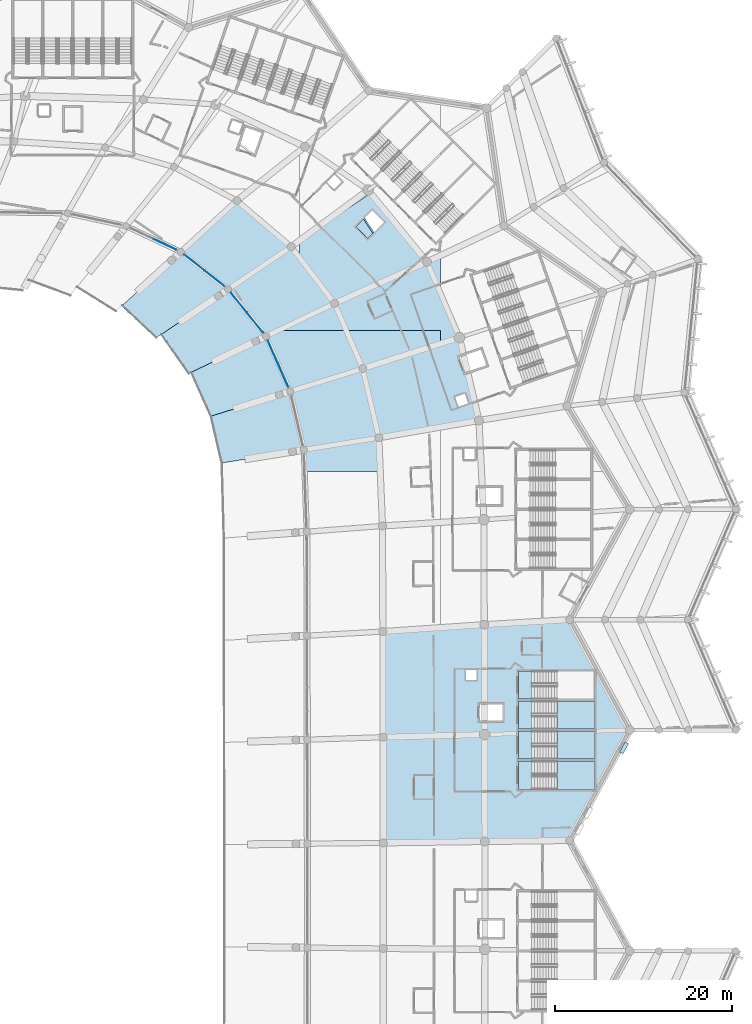
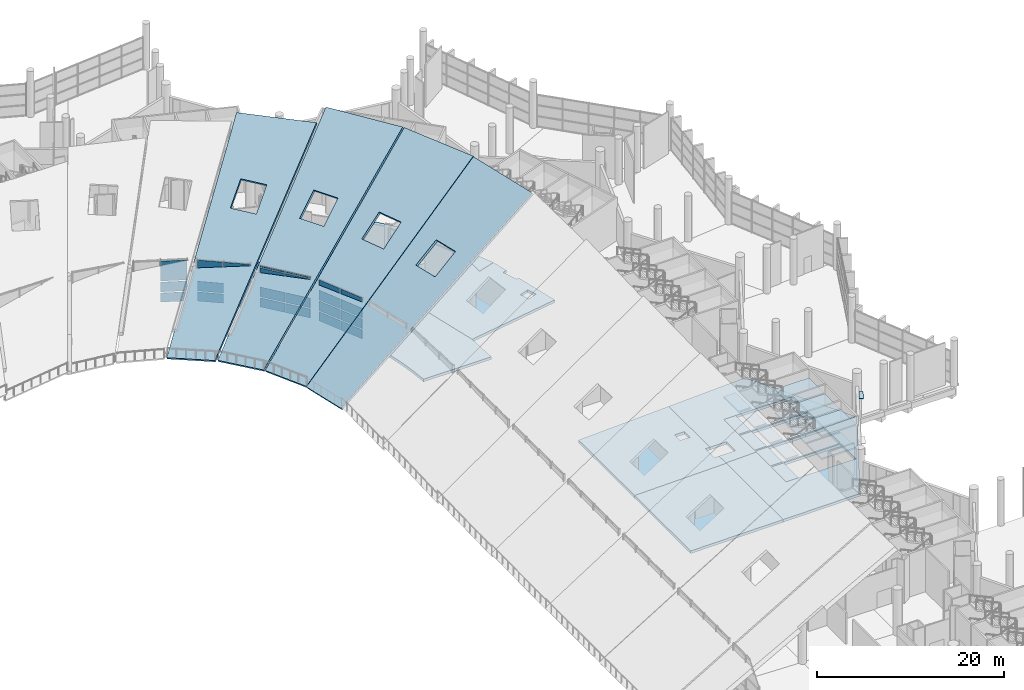
# One storey, part 128 of 249: 26 plates, 26 slabs, 8 elements without a shape of their own.
"""IFC4 building model written with IfcOpenShell, lengths in metres."""

from ifc_helpers import new_model, si_unit, direction, frame, origin, origin_2d, place, context, subcontext, project, spatial, polyline, rectangle, outline, extrude, material, layer, layer_set, type_object, element, aggregate, save


model = new_model("IFC4")

# Units and contexts
model_context = context("Model", 3, precision=1e-05, world=origin(), true_north=direction((0.0, 1.0)))
body_context = subcontext(model_context, "Body", "Model", "MODEL_VIEW")
ifc_project = project(units=[si_unit("LENGTHUNIT", "METRE"), si_unit("AREAUNIT", "SQUARE_METRE"), si_unit("VOLUMEUNIT", "CUBIC_METRE"), si_unit("PLANEANGLEUNIT", "RADIAN"), si_unit("MASSUNIT", "GRAM", prefix="KILO")], contexts=[model_context])

# Site, building, storey
site_placement = place(None, origin())
site = spatial("IfcSite", under=ifc_project, at=site_placement, CompositionType="ELEMENT")
building_placement = place(site_placement, origin())
building = spatial("IfcBuilding", under=site, at=building_placement, Name="Meseta Stadium", CompositionType="ELEMENT")
storey_placement = place(building_placement, frame((0.0, 0.0, 12.0)))
storey = spatial("IfcBuildingStorey", under=building, at=storey_placement, Name="L02", CompositionType="ELEMENT", Elevation=12.0)

# Curtain wall, plates
ifc_material_1 = material(Name="Aluminium", Category="aluminium")
ifc_layer_1 = layer(ifc_material_1, 0.199951171875)
ifc_layer_set_1 = layer_set([ifc_layer_1], Name="Suite glazing curtain wall")
curtain_wall_type = type_object("IfcCurtainWallType", Name="Suite glazing curtain wall", PredefinedType="NOTDEFINED", material=ifc_layer_set_1)
curtain_wall_1_placement = place(storey_placement, origin())
curtain_wall_1 = element("IfcCurtainWall", 1, at=curtain_wall_1_placement, inside=storey, type_object=curtain_wall_type, Name="Suite glazing bay 10", PredefinedType="NOTDEFINED")
ifc_material_2 = material(Name="Glass", Category="glass")
ifc_layer_2 = layer(ifc_material_2, 0.035888671875)
ifc_layer_set_2 = layer_set([ifc_layer_2], Name="CW glass panel 36")
plate_type_1 = type_object("IfcPlateType", Name="CW glass panel 36", PredefinedType="CURTAIN_PANEL", material=ifc_layer_set_2)
plate_1_placement = place(storey_placement, frame((62.1748046875, 58.895751953125, 0.14990234375), z_axis=(0.0, 0.0, 1.0), x_axis=(-0.402983317466, 0.915207323968, 0.0)))
plate_1 = element("IfcPlate", 2, at=plate_1_placement, type_object=plate_type_1, Name="CWS panel 1.1", PredefinedType="CURTAIN_PANEL", context=body_context, shape_type="SweptSolid", body=[
    extrude(rectangle(XDim=2.8310546875, YDim=0.035888671875, at=origin_2d()), origin(), (0.0, 0.0, 1.0), 1.1875),
])
plate_2_placement = place(storey_placement, frame((62.1748046875, 58.895751953125, 1.4873046875), z_axis=(0.0, 0.0, 1.0), x_axis=(-0.402983317466, 0.915207323968, 0.0)))
plate_2 = element("IfcPlate", 3, at=plate_2_placement, type_object=plate_type_1, Name="CWS panel 1.2", PredefinedType="CURTAIN_PANEL", context=body_context, shape_type="SweptSolid", body=[
    extrude(rectangle(XDim=2.8310546875, YDim=0.035888671875, at=origin_2d()), origin(), (0.0, 0.0, 1.0), 1.262451171875),
])
plate_3_placement = place(storey_placement, frame((62.1748046875, 58.895751953125, 2.89990234375), z_axis=(0.0, 0.0, 1.0), x_axis=(-0.402983317466, 0.915207323968, 0.0)))
plate_3 = element("IfcPlate", 4, at=plate_3_placement, type_object=plate_type_1, Name="CWS panel 1.3", PredefinedType="CURTAIN_PANEL", context=body_context, shape_type="SweptSolid", body=[
    extrude(rectangle(XDim=2.8310546875, YDim=0.035888671875, at=origin_2d()), origin(), (0.0, 0.0, 1.0), 1.262451171875),
])
plate_4_placement = place(storey_placement, frame((62.1748046875, 58.895751953125, 4.3125), z_axis=(0.0, 0.0, 1.0), x_axis=(-0.402983317466, 0.915207323968, 0.0)))
plate_4 = element("IfcPlate", 5, at=plate_4_placement, type_object=plate_type_1, Name="CWS panel 1.4", PredefinedType="CURTAIN_PANEL", context=body_context, shape_type="SweptSolid", body=[
    extrude(rectangle(XDim=2.8310546875, YDim=0.035888671875, at=origin_2d()), origin(), (0.0, 0.0, 1.0), 1.1875),
])
plate_5_placement = place(storey_placement, frame((61.009765625, 61.54150390625, 0.14990234375), z_axis=(0.0, 0.0, 1.0), x_axis=(-0.402983317466, 0.915207323968, 0.0)))
plate_5 = element("IfcPlate", 6, at=plate_5_placement, type_object=plate_type_1, Name="CWS panel 2.1", PredefinedType="CURTAIN_PANEL", context=body_context, shape_type="SweptSolid", body=[
    extrude(rectangle(XDim=2.8310546875, YDim=0.035888671875, at=origin_2d()), origin(), (0.0, 0.0, 1.0), 1.1875),
])
plate_6_placement = place(storey_placement, frame((61.009765625, 61.54150390625, 1.4873046875), z_axis=(0.0, 0.0, 1.0), x_axis=(-0.402983317466, 0.915207323968, 0.0)))
plate_6 = element("IfcPlate", 7, at=plate_6_placement, type_object=plate_type_1, Name="CWS panel 2.2", PredefinedType="CURTAIN_PANEL", context=body_context, shape_type="SweptSolid", body=[
    extrude(rectangle(XDim=2.8310546875, YDim=0.035888671875, at=origin_2d()), origin(), (0.0, 0.0, 1.0), 1.262451171875),
])
plate_7_placement = place(storey_placement, frame((61.009765625, 61.54150390625, 2.89990234375), z_axis=(0.0, 0.0, 1.0), x_axis=(-0.402983317466, 0.915207323968, 0.0)))
plate_7 = element("IfcPlate", 8, at=plate_7_placement, type_object=plate_type_1, Name="CWS panel 2.3", PredefinedType="CURTAIN_PANEL", context=body_context, shape_type="SweptSolid", body=[
    extrude(rectangle(XDim=2.8310546875, YDim=0.035888671875, at=origin_2d()), origin(), (0.0, 0.0, 1.0), 1.262451171875),
])
plate_8_placement = place(storey_placement, frame((61.009765625, 61.54150390625, 4.3125), z_axis=(0.0, 0.0, 1.0), x_axis=(-0.402983317466, 0.915207323968, 0.0)))
plate_8 = element("IfcPlate", 9, at=plate_8_placement, type_object=plate_type_1, Name="CWS panel 2.4", PredefinedType="CURTAIN_PANEL", context=body_context, shape_type="SweptSolid", body=[
    extrude(rectangle(XDim=2.8310546875, YDim=0.035888671875, at=origin_2d()), origin(), (0.0, 0.0, 1.0), 1.1875),
])
aggregate(curtain_wall_1, [plate_1, plate_2, plate_3, plate_4, plate_5, plate_6, plate_7, plate_8])

curtain_wall_2_placement = place(storey_placement, origin())
curtain_wall_2 = element("IfcCurtainWall", 10, at=curtain_wall_2_placement, inside=storey, type_object=curtain_wall_type, Name="Suite glazing bay 11", PredefinedType="NOTDEFINED")
plate_9_placement = place(storey_placement, frame((58.986572265625, 64.867919921875, 0.14990234375), z_axis=(0.0, 0.0, 1.0), x_axis=(-0.626460054791, 0.779453526357, 0.0)))
plate_9 = element("IfcPlate", 11, at=plate_9_placement, type_object=plate_type_1, Name="CWS panel 1.1", PredefinedType="CURTAIN_PANEL", context=body_context, shape_type="SweptSolid", body=[
    extrude(rectangle(XDim=2.84130859375, YDim=0.035888671875, at=origin_2d()), origin(), (0.0, 0.0, 1.0), 1.1875),
])
plate_10_placement = place(storey_placement, frame((58.986572265625, 64.867919921875, 1.4873046875), z_axis=(0.0, 0.0, 1.0), x_axis=(-0.626460054791, 0.779453526357, 0.0)))
plate_10 = element("IfcPlate", 12, at=plate_10_placement, type_object=plate_type_1, Name="CWS panel 1.2", PredefinedType="CURTAIN_PANEL", context=body_context, shape_type="SweptSolid", body=[
    extrude(rectangle(XDim=2.84130859375, YDim=0.035888671875, at=origin_2d()), origin(), (0.0, 0.0, 1.0), 1.262451171875),
])
plate_11_placement = place(storey_placement, frame((58.986572265625, 64.867919921875, 2.89990234375), z_axis=(0.0, 0.0, 1.0), x_axis=(-0.626460054791, 0.779453526357, 0.0)))
plate_11 = element("IfcPlate", 13, at=plate_11_placement, type_object=plate_type_1, Name="CWS panel 1.3", PredefinedType="CURTAIN_PANEL", context=body_context, shape_type="SweptSolid", body=[
    extrude(rectangle(XDim=2.84130859375, YDim=0.035888671875, at=origin_2d()), origin(), (0.0, 0.0, 1.0), 2.332275390625),
])
plate_12_placement = place(storey_placement, frame((58.986572265625, 64.867919921875, 5.38232421875), z_axis=(0.0, 0.0, 1.0), x_axis=(-0.626460054791, 0.779453526357, 0.0)))
plate_12 = element("IfcPlate", 14, at=plate_12_placement, type_object=plate_type_1, Name="CWS panel 1.4", PredefinedType="CURTAIN_PANEL", context=body_context, shape_type="SweptSolid", body=[
    extrude(rectangle(XDim=2.84130859375, YDim=0.035888671875, at=origin_2d()), origin(), (0.0, 0.0, 1.0), 0.11767578125),
])
plate_13_placement = place(storey_placement, frame((57.1689453125, 67.12939453125, 0.14990234375), z_axis=(0.0, 0.0, 1.0), x_axis=(-0.626460054791, 0.779453526357, 0.0)))
plate_13 = element("IfcPlate", 15, at=plate_13_placement, type_object=plate_type_1, Name="CWS panel 2.1", PredefinedType="CURTAIN_PANEL", context=body_context, shape_type="SweptSolid", body=[
    extrude(rectangle(XDim=2.84130859375, YDim=0.035888671875, at=origin_2d()), origin(), (0.0, 0.0, 1.0), 1.1875),
])
plate_14_placement = place(storey_placement, frame((57.1689453125, 67.12939453125, 1.4873046875), z_axis=(0.0, 0.0, 1.0), x_axis=(-0.626460054791, 0.779453526357, 0.0)))
plate_14 = element("IfcPlate", 16, at=plate_14_placement, type_object=plate_type_1, Name="CWS panel 2.2", PredefinedType="CURTAIN_PANEL", context=body_context, shape_type="SweptSolid", body=[
    extrude(rectangle(XDim=2.84130859375, YDim=0.035888671875, at=origin_2d()), origin(), (0.0, 0.0, 1.0), 1.262451171875),
])
plate_15_placement = place(storey_placement, frame((57.1689453125, 67.12939453125, 2.89990234375), z_axis=(0.0, 0.0, 1.0), x_axis=(-0.626460054791, 0.779453526357, 0.0)))
plate_15 = element("IfcPlate", 17, at=plate_15_placement, type_object=plate_type_1, Name="CWS panel 2.3", PredefinedType="CURTAIN_PANEL", context=body_context, shape_type="SweptSolid", body=[
    extrude(rectangle(XDim=2.84130859375, YDim=0.035888671875, at=origin_2d()), origin(), (0.0, 0.0, 1.0), 2.332275390625),
])
plate_16_placement = place(storey_placement, frame((57.1689453125, 67.12939453125, 5.38232421875), z_axis=(0.0, 0.0, 1.0), x_axis=(-0.626460054791, 0.779453526357, 0.0)))
plate_16 = element("IfcPlate", 18, at=plate_16_placement, type_object=plate_type_1, Name="CWS panel 2.4", PredefinedType="CURTAIN_PANEL", context=body_context, shape_type="SweptSolid", body=[
    extrude(rectangle(XDim=2.84130859375, YDim=0.035888671875, at=origin_2d()), origin(), (0.0, 0.0, 1.0), 0.11767578125),
])
aggregate(curtain_wall_2, [plate_9, plate_10, plate_11, plate_12, plate_13, plate_14, plate_15, plate_16])

curtain_wall_3_placement = place(storey_placement, origin())
curtain_wall_3 = element("IfcCurtainWall", 19, at=curtain_wall_3_placement, inside=storey, type_object=curtain_wall_type, Name="Suite glazing bay 12", PredefinedType="NOTDEFINED")
plate_17_placement = place(storey_placement, frame((54.385498046875, 69.88330078125, 0.14990234375), z_axis=(0.0, 0.0, 1.0), x_axis=(-0.785434917158, 0.61894425509, 0.0)))
plate_17 = element("IfcPlate", 20, at=plate_17_placement, type_object=plate_type_1, Name="CWS panel 1.1", PredefinedType="CURTAIN_PANEL", context=body_context, shape_type="SweptSolid", body=[
    extrude(rectangle(XDim=2.83349609375, YDim=0.035888671875, at=origin_2d()), origin(), (0.0, 0.0, 1.0), 1.1875),
])
plate_18_placement = place(storey_placement, frame((54.385498046875, 69.88330078125, 1.4873046875), z_axis=(0.0, 0.0, 1.0), x_axis=(-0.785434917158, 0.61894425509, 0.0)))
plate_18 = element("IfcPlate", 21, at=plate_18_placement, type_object=plate_type_1, Name="CWS panel 1.2", PredefinedType="CURTAIN_PANEL", context=body_context, shape_type="SweptSolid", body=[
    extrude(rectangle(XDim=2.83349609375, YDim=0.035888671875, at=origin_2d()), origin(), (0.0, 0.0, 1.0), 1.262451171875),
])
plate_19_placement = place(storey_placement, frame((54.385498046875, 69.88330078125, 2.89990234375), z_axis=(0.0, 0.0, 1.0), x_axis=(-0.785434917158, 0.61894425509, 0.0)))
plate_19 = element("IfcPlate", 22, at=plate_19_placement, type_object=plate_type_1, Name="CWS panel 1.3", PredefinedType="CURTAIN_PANEL", context=body_context, shape_type="SweptSolid", body=[
    extrude(rectangle(XDim=2.83349609375, YDim=0.035888671875, at=origin_2d()), origin(), (0.0, 0.0, 1.0), 2.60009765625),
])
plate_20_placement = place(storey_placement, frame((52.11279296875, 71.67431640625, 0.14990234375), z_axis=(0.0, 0.0, 1.0), x_axis=(-0.785434917158, 0.61894425509, 0.0)))
plate_20 = element("IfcPlate", 23, at=plate_20_placement, type_object=plate_type_1, Name="CWS panel 2.1", PredefinedType="CURTAIN_PANEL", context=body_context, shape_type="SweptSolid", body=[
    extrude(rectangle(XDim=2.83349609375, YDim=0.035888671875, at=origin_2d()), origin(), (0.0, 0.0, 1.0), 1.1875),
])
plate_21_placement = place(storey_placement, frame((52.11279296875, 71.67431640625, 1.4873046875), z_axis=(0.0, 0.0, 1.0), x_axis=(-0.785434917158, 0.61894425509, 0.0)))
plate_21 = element("IfcPlate", 24, at=plate_21_placement, type_object=plate_type_1, Name="CWS panel 2.2", PredefinedType="CURTAIN_PANEL", context=body_context, shape_type="SweptSolid", body=[
    extrude(rectangle(XDim=2.83349609375, YDim=0.035888671875, at=origin_2d()), origin(), (0.0, 0.0, 1.0), 1.262451171875),
])
plate_22_placement = place(storey_placement, frame((52.11279296875, 71.67431640625, 2.89990234375), z_axis=(0.0, 0.0, 1.0), x_axis=(-0.785434917158, 0.61894425509, 0.0)))
plate_22 = element("IfcPlate", 25, at=plate_22_placement, type_object=plate_type_1, Name="CWS panel 2.3", PredefinedType="CURTAIN_PANEL", context=body_context, shape_type="SweptSolid", body=[
    extrude(rectangle(XDim=2.83349609375, YDim=0.035888671875, at=origin_2d()), origin(), (0.0, 0.0, 1.0), 2.60009765625),
])
aggregate(curtain_wall_3, [plate_17, plate_18, plate_19, plate_20, plate_21, plate_22])

curtain_wall_4_placement = place(storey_placement, origin())
curtain_wall_4 = element("IfcCurtainWall", 26, at=curtain_wall_4_placement, inside=storey, type_object=curtain_wall_type, Name="Suite glazing bay 13", PredefinedType="NOTDEFINED")
plate_23_placement = place(storey_placement, frame((48.77294921875, 73.737548828125, 0.14990234375), z_axis=(0.0, 0.0, 1.0), x_axis=(-0.904328409074, 0.426837356076, 0.0)))
plate_23 = element("IfcPlate", 27, at=plate_23_placement, type_object=plate_type_1, Name="CWS panel 1.1", PredefinedType="CURTAIN_PANEL", context=body_context, shape_type="SweptSolid", body=[
    extrude(rectangle(XDim=2.822509765625, YDim=0.035888671875, at=origin_2d()), origin(), (0.0, 0.0, 1.0), 1.1875),
])
plate_24_placement = place(storey_placement, frame((48.77294921875, 73.737548828125, 1.4873046875), z_axis=(0.0, 0.0, 1.0), x_axis=(-0.904328409074, 0.426837356076, 0.0)))
plate_24 = element("IfcPlate", 28, at=plate_24_placement, type_object=plate_type_1, Name="CWS panel 1.2", PredefinedType="CURTAIN_PANEL", context=body_context, shape_type="SweptSolid", body=[
    extrude(rectangle(XDim=2.822509765625, YDim=0.035888671875, at=origin_2d()), origin(), (0.0, 0.0, 1.0), 1.262451171875),
])
plate_25_placement = place(storey_placement, frame((48.77294921875, 73.737548828125, 2.89990234375), z_axis=(0.0, 0.0, 1.0), x_axis=(-0.904328409074, 0.426837356076, 0.0)))
plate_25 = element("IfcPlate", 29, at=plate_25_placement, type_object=plate_type_1, Name="CWS panel 1.3", PredefinedType="CURTAIN_PANEL", context=body_context, shape_type="SweptSolid", body=[
    extrude(rectangle(XDim=2.822509765625, YDim=0.035888671875, at=origin_2d()), origin(), (0.0, 0.0, 1.0), 2.60009765625),
])
aggregate(curtain_wall_4, [plate_23, plate_24, plate_25])

# Slabs
ifc_material_3 = material(Name="Concrete C40/50", Category="concrete")
ifc_layer_3 = layer(ifc_material_3, 0.35009765625)
ifc_layer_set_3 = layer_set([ifc_layer_3], Name="Floor slab 350")
slab_type_1 = type_object("IfcSlabType", Name="Floor slab 350", PredefinedType="FLOOR", material=ifc_layer_set_3)
slab_1_placement = place(storey_placement, frame((0.0, 0.0, -0.35009765625)))
element("IfcSlab", 30, at=slab_1_placement, inside=storey, type_object=slab_type_1, Name="Floor slab L02 sector 00 panel 09", PredefinedType="FLOOR", context=body_context, shape_type="SweptSolid", body=[
    extrude(outline(polyline([(84.39990234375, 19.800048828125), (84.39990234375, 21.699951171875), (84.9638671875, 21.699951171875), (84.926025390625, 30.523193359375), (73.451416015625, 29.89404296875), (73.482421875, 17.943603515625), (84.978515625, 18.24365234375), (84.971923828125, 19.800048828125), (84.39990234375, 19.800048828125)]), holes=[polyline([(84.050048828125, 25.60009765625), (84.050048828125, 24.39990234375), (82.85009765625, 24.39990234375), (82.85009765625, 25.60009765625), (84.050048828125, 25.60009765625)])]), origin(), (0.0, 0.0, 1.0), 0.35009765625),
])
slab_2_placement = place(storey_placement, frame((0.0, 0.0, -0.35009765625)))
element("IfcSlab", 31, at=slab_2_placement, inside=storey, type_object=slab_type_1, Name="Floor slab L02 sector 00 panel 13", PredefinedType="FLOOR", context=body_context, shape_type="SweptSolid", body=[
    extrude(outline(polyline([(84.9970703125, 6.107421875), (84.978515625, 18.24365234375), (73.482421875, 17.943603515625), (73.498046875, 5.981201171875), (84.9970703125, 6.107421875)])), origin(), (0.0, 0.0, 1.0), 0.35009765625),
])
slab_3_placement = place(storey_placement, frame((0.0, 0.0, -0.35009765625)))
element("IfcSlab", 32, at=slab_3_placement, inside=storey, type_object=slab_type_1, Name="Floor slab L02 sector 00 panel 17", PredefinedType="FLOOR", context=body_context, shape_type="SweptSolid", body=[
    extrude(outline(polyline([(84.9970703125, 6.107421875), (94.6201171875, 6.212890625), (94.60009765625, 6.25), (101.39990234375, 18.75), (101.340087890625, 18.85986328125), (94.9599609375, 18.64990234375), (97.39990234375, 18.64990234375), (97.39990234375, 15.449951171875), (88.800048828125, 15.449951171875), (88.800048828125, 18.447509765625), (84.978515625, 18.32177734375), (84.9970703125, 6.107421875)]), holes=[polyline([(97.39990234375, 12.050048828125), (88.800048828125, 12.050048828125), (88.800048828125, 15.25), (97.39990234375, 15.25), (97.39990234375, 12.050048828125)])]), origin(), (0.0, 0.0, 1.0), 0.35009765625),
])
slab_4_placement = place(storey_placement, frame((0.0, 0.0, -0.35009765625)))
element("IfcSlab", 33, at=slab_4_placement, inside=storey, type_object=slab_type_1, Name="Floor slab L02 sector 00 panel 19", PredefinedType="FLOOR", context=body_context, shape_type="SweptSolid", body=[
    extrude(outline(polyline([(101.340087890625, 18.85986328125), (94.70361328125, 31.059326171875), (84.926025390625, 30.523193359375), (84.9638671875, 21.699951171875), (87.0, 21.699951171875), (87.0, 19.800048828125), (84.971923828125, 19.800048828125), (84.978271484375, 18.32177734375), (88.800048828125, 18.447509765625), (88.800048828125, 18.64990234375), (94.9599609375, 18.64990234375), (101.340087890625, 18.85986328125)]), holes=[polyline([(97.39990234375, 18.85009765625), (88.800048828125, 18.85009765625), (88.800048828125, 22.050048828125), (97.39990234375, 22.050048828125), (97.39990234375, 18.85009765625)]), polyline([(97.39990234375, 22.25), (88.800048828125, 22.25), (88.800048828125, 25.449951171875), (97.39990234375, 25.449951171875), (97.39990234375, 22.25)])]), origin(), (0.0, 0.0, 1.0), 0.35009765625),
])
slab_5_placement = place(storey_placement, frame((0.0, 0.0, -0.35009765625)))
element("IfcSlab", 34, at=slab_5_placement, inside=storey, type_object=slab_type_1, Name="Floor slab L02 sector 07 panel 03", PredefinedType="FLOOR", context=body_context, shape_type="SweptSolid", body=[
    extrude(outline(polyline([(60.22216796875, 63.33056640625), (61.6142578125, 64.0), (69.297119140625, 64.0), (67.972412109375, 67.057861328125), (63.068115234375, 73.469970703125), (56.9150390625, 78.69580078125), (50.571533203125, 72.888916015625), (51.53076171875, 72.269775390625), (52.466064453125, 71.614990234375), (53.375732421875, 70.925537109375), (54.259033203125, 70.2021484375), (55.1142578125, 69.446044921875), (55.940185546875, 68.658203125), (56.736083984375, 67.839599609375), (57.50048828125, 66.99169921875), (58.232177734375, 66.115478515625), (58.930419921875, 65.21240234375), (59.593994140625, 64.28369140625), (60.22216796875, 63.33056640625)])), origin(), (0.0, 0.0, 1.0), 0.35009765625),
])
slab_6_placement = place(storey_placement, frame((0.0, 0.0, -0.35009765625)))
element("IfcSlab", 35, at=slab_6_placement, inside=storey, type_object=slab_type_1, Name="Floor slab L02 sector 07 panel 05", PredefinedType="FLOOR", context=body_context, shape_type="SweptSolid", body=[
    extrude(outline(polyline([(72.9921875, 51.84716796875), (71.169677734375, 59.67724609375), (69.297119140625, 64.0), (61.6142578125, 64.0), (60.22216796875, 63.33056640625), (60.772705078125, 62.335693359375), (61.274658203125, 61.31689453125), (61.7451171875, 60.28369140625), (62.183837890625, 59.236328125), (62.590087890625, 58.17626953125), (62.963623046875, 57.1044921875), (63.30419921875, 56.021484375), (63.611328125, 54.928955078125), (63.885009765625, 53.827392578125), (64.12451171875, 52.718017578125), (64.330322265625, 51.601806640625), (64.501708984375, 50.479736328125), (64.638427734375, 49.352783203125), (64.740966796875, 48.221923828125), (64.754150390625, 48.0), (73.151123046875, 48.0), (72.9921875, 51.84716796875)])), origin(), (0.0, 0.0, 1.0), 0.35009765625),
])
slab_7_placement = place(storey_placement, frame((0.0, 0.0, -0.35009765625)))
element("IfcSlab", 36, at=slab_7_placement, inside=storey, type_object=slab_type_1, Name="Floor slab L02 sector 07 panel 08", PredefinedType="FLOOR", context=body_context, shape_type="SweptSolid", body=[
    extrude(outline(polyline([(69.297119140625, 64.0), (80.0, 64.0), (80.0, 62.44580078125), (82.137451171875, 63.115966796875), (82.119873046875, 63.191162109375), (80.0, 68.13232421875), (80.0, 72.48828125), (78.4453125, 71.756103515625), (72.06103515625, 79.54052734375), (64.0, 74.098876953125), (64.0, 72.251708984375), (67.972412109375, 67.057861328125), (69.297119140625, 64.0)]), holes=[polyline([(71.74609375, 74.402587890625), (70.402587890625, 75.74609375), (72.2412109375, 77.584716796875), (73.584716796875, 76.2412109375), (71.74609375, 74.402587890625)])]), origin(), (0.0, 0.0, 1.0), 0.35009765625),
])
slab_8_placement = place(storey_placement, frame((0.0, 0.0, -0.35009765625)))
element("IfcSlab", 37, at=slab_8_placement, inside=storey, type_object=slab_type_1, Name="Floor slab L02 sector 07 panel 10", PredefinedType="FLOOR", context=body_context, shape_type="SweptSolid", body=[
    extrude(outline(polyline([(82.137451171875, 63.115966796875), (80.0, 62.44580078125), (80.0, 64.0), (69.297119140625, 64.0), (71.169677734375, 59.67724609375), (72.9921875, 51.84716796875), (84.3251953125, 53.801513671875), (83.032958984375, 59.30322265625), (82.723876953125, 59.195068359375), (82.09619140625, 60.988525390625), (82.59619140625, 61.163330078125), (82.137451171875, 63.115966796875)]), holes=[polyline([(82.006103515625, 55.341796875), (81.60986328125, 56.474609375), (82.74267578125, 56.870849609375), (83.138916015625, 55.73828125), (82.006103515625, 55.341796875)])]), origin(), (0.0, 0.0, 1.0), 0.35009765625),
])

# Plate
ifc_material_4 = material(Name="White precast concrete C40/50", Category="concrete")
ifc_layer_4 = layer(ifc_material_4, 0.080078125)
ifc_layer_set_4 = layer_set([ifc_layer_4], Name="Louvre hood 1300x450")
plate_type_2 = type_object("IfcPlateType", Name="Louvre hood 1300x450", PredefinedType="USERDEFINED", material=ifc_layer_set_4)
plate_26_placement = place(storey_placement, frame((100.757568359375, 16.731689453125, 4.25), z_axis=(0.0, 0.0, 1.0), x_axis=(0.477867090202, 0.878432151109, 0.0)))
element("IfcPlate", 38, at=plate_26_placement, inside=storey, type_object=plate_type_2, Name="Louvre hood L02 F05", ObjectType="LOUVRE", PredefinedType="USERDEFINED", context=body_context, shape_type="SweptSolid", body=[
    extrude(rectangle(XDim=1.300048828125, YDim=0.449951171875, at=origin_2d()), origin(), (0.0, 0.0, 1.0), 0.080078125),
])

# Slabs
ifc_material_5 = material(Name="Concrete C40/50", Category="concrete")
ifc_layer_5 = layer(ifc_material_5, 0.35009765625)
ifc_layer_set_5 = layer_set([ifc_layer_5], Name="Seating tier 350")
slab_type_2 = type_object("IfcSlabType", Name="Seating tier 350", PredefinedType="USERDEFINED", material=ifc_layer_set_5)
slab_9_placement = place(storey_placement, frame((55.12255859375, 48.96923828125, -1.0078125), z_axis=(-0.515821110496, -0.121769579744, 0.847998084559), x_axis=(0.837820966186, 0.134936000468, 0.529006903922)))
element("IfcSlab", 39, at=slab_9_placement, inside=storey, type_object=slab_type_2, Name="Stand upper tier bay 10", ObjectType="SEATING TIER", PredefinedType="USERDEFINED", context=body_context, shape_type="SweptSolid", body=[
    extrude(outline(polyline([(0.0, 0.0), (31.10924748039256, 4.440892098500626e-16), (30.5743301511458, 9.219142906401414), (-0.30291200476163493, 5.424194082260034), (0.0, 0.0)]), holes=[polyline([(17.550048828125, 2.293212890625), (21.0810546875, 2.50927734375), (20.89794921875, 5.503662109375), (17.366455078125, 5.287353515625), (17.550048828125, 2.293212890625)])]), origin(), (0.0, 0.0, -1.0), 0.35009765625),
])
slab_10_placement = place(storey_placement, frame((53.898681640625, 54.26220703125, -0.923095703125), z_axis=(-0.493034340941, -0.194461392393, 0.847998765047), x_axis=(0.809745858171, 0.253882442357, 0.529013563756)))
element("IfcSlab", 40, at=slab_10_placement, inside=storey, type_object=slab_type_2, Name="Stand upper tier bay 11", ObjectType="SEATING TIER", PredefinedType="USERDEFINED", context=body_context, shape_type="SweptSolid", body=[
    extrude(outline(polyline([(0.0, 0.0), (31.109705166816173, 1.9984014443252818e-15), (30.255451052152452, 9.203350171180293), (-0.620510942257601, 5.400378976332084), (0.0, 0.0)]), holes=[polyline([(17.390625, 2.283447265625), (20.921875, 2.498779296875), (20.7392578125, 5.493408203125), (17.2080078125, 5.27783203125), (17.390625, 2.283447265625)])]), origin(), (0.0, 0.0, -1.0), 0.35009765625),
])
slab_11_placement = place(storey_placement, frame((51.4111328125, 59.093017578125, -0.839599609375), z_axis=(-0.459888351399, -0.263447583447, 0.847996506492), x_axis=(0.764764867864, 0.367801391748, 0.52901496492)))
element("IfcSlab", 41, at=slab_11_placement, inside=storey, type_object=slab_type_2, Name="Stand upper tier bay 12", ObjectType="SEATING TIER", PredefinedType="USERDEFINED", context=body_context, shape_type="SweptSolid", body=[
    extrude(outline(polyline([(0.0, 0.0), (31.10961498673099, 4.440892098500626e-16), (29.939759782341948, 9.154343169028085), (-0.9318573982103479, 5.323518700752245), (0.0, 0.0)]), holes=[polyline([(17.468505859375, 2.267333984375), (20.999755859375, 2.483154296875), (20.81689453125, 5.4775390625), (17.28564453125, 5.261962890625), (17.468505859375, 2.267333984375)])]), origin(), (0.0, 0.0, -1.0), 0.35009765625),
])
slab_12_placement = place(storey_placement, frame((47.720947265625, 63.109619140625, -0.758544921875), z_axis=(-0.416651214715, -0.327561343336, 0.848000785158), x_axis=(0.703364046882, 0.474810279846, 0.528993587586)))
element("IfcSlab", 42, at=slab_12_placement, inside=storey, type_object=slab_type_2, Name="Stand upper tier bay 13", ObjectType="SEATING TIER", PredefinedType="USERDEFINED", context=body_context, shape_type="SweptSolid", body=[
    extrude(outline(polyline([(0.0, 0.0), (29.223773050212593, -8.881784197001252e-16), (27.76208005655127, 8.82634556614459), (-1.2318050596223218, 5.179455447740823), (0.0, 0.0)]), holes=[polyline([(17.317138671875, 2.2099609375), (20.84814453125, 2.427490234375), (20.663818359375, 5.421875), (17.1328125, 5.204345703125), (17.317138671875, 2.2099609375)])]), origin(), (0.0, 0.0, -1.0), 0.35009765625),
])

# Stair, slabs
ifc_material_6 = material(Name="Concrete C40/50", Category="concrete")
stair_type = type_object("IfcStairType", Name="Exit stair 4 flights 150 mm risers", PredefinedType="HALF_TURN_STAIR", material=ifc_material_6)
stair_1_placement = place(storey_placement, origin())
stair_1 = element("IfcStair", 43, at=stair_1_placement, inside=storey, type_object=stair_type, Name="ST13 L02", PredefinedType="HALF_TURN_STAIR")
ifc_material_7 = material(Name="Concrete C40/50", Category="concrete")
ifc_layer_6 = layer(ifc_material_7, 0.199951171875)
ifc_layer_set_6 = layer_set([ifc_layer_6], Name="Stair landing 200")
slab_type_3 = type_object("IfcSlabType", Name="Stair landing 200", PredefinedType="LANDING", material=ifc_layer_set_6)
slab_13_placement = place(storey_placement, frame((0.0, 0.0, 1.300048828125)))
slab_13 = element("IfcSlab", 44, at=slab_13_placement, type_object=slab_type_3, Name="ST13 L02 landing 1", PredefinedType="LANDING", context=body_context, shape_type="SweptSolid", body=[
    extrude(outline(polyline([(93.169921875, 12.050048828125), (97.39990234375, 12.050048828125), (97.39990234375, 15.25), (93.169921875, 15.25), (93.169921875, 12.050048828125)])), origin(), (0.0, 0.0, 1.0), 0.199951171875),
])
slab_14_placement = place(storey_placement, frame((0.0, 0.0, 2.800048828125)))
slab_14 = element("IfcSlab", 45, at=slab_14_placement, type_object=slab_type_3, Name="ST13 L02 landing 2", PredefinedType="LANDING", context=body_context, shape_type="SweptSolid", body=[
    extrude(outline(polyline([(88.800048828125, 12.050048828125), (90.31005859375, 12.050048828125), (90.31005859375, 15.25), (88.800048828125, 15.25), (88.800048828125, 12.050048828125)])), origin(), (0.0, 0.0, 1.0), 0.199951171875),
])
slab_15_placement = place(storey_placement, frame((0.0, 0.0, 4.300048828125)))
slab_15 = element("IfcSlab", 46, at=slab_15_placement, type_object=slab_type_3, Name="ST13 L02 landing 3", PredefinedType="LANDING", context=body_context, shape_type="SweptSolid", body=[
    extrude(outline(polyline([(93.169921875, 12.050048828125), (97.39990234375, 12.050048828125), (97.39990234375, 15.25), (93.169921875, 15.25), (93.169921875, 12.050048828125)])), origin(), (0.0, 0.0, 1.0), 0.199951171875),
])
slab_16_placement = place(storey_placement, frame((0.0, 0.0, -0.199951171875)))
slab_16 = element("IfcSlab", 47, at=slab_16_placement, type_object=slab_type_3, Name="ST13 L02 landing 4", PredefinedType="LANDING", context=body_context, shape_type="SweptSolid", body=[
    extrude(outline(polyline([(88.800048828125, 12.050048828125), (90.31005859375, 12.050048828125), (90.31005859375, 15.25), (88.800048828125, 15.25), (88.800048828125, 12.050048828125)])), origin(), (0.0, 0.0, 1.0), 0.199951171875),
])
aggregate(stair_1, [slab_13, slab_14, slab_15, slab_16])

stair_2_placement = place(storey_placement, origin())
stair_2 = element("IfcStair", 48, at=stair_2_placement, inside=storey, type_object=stair_type, Name="ST14 L02", PredefinedType="HALF_TURN_STAIR")
slab_17_placement = place(storey_placement, frame((0.0, 0.0, 1.300048828125)))
slab_17 = element("IfcSlab", 49, at=slab_17_placement, type_object=slab_type_3, Name="ST14 L02 landing 1", PredefinedType="LANDING", context=body_context, shape_type="SweptSolid", body=[
    extrude(outline(polyline([(93.169921875, 15.449951171875), (97.39990234375, 15.449951171875), (97.39990234375, 18.64990234375), (93.169921875, 18.64990234375), (93.169921875, 15.449951171875)])), origin(), (0.0, 0.0, 1.0), 0.199951171875),
])
slab_18_placement = place(storey_placement, frame((0.0, 0.0, 2.800048828125)))
slab_18 = element("IfcSlab", 50, at=slab_18_placement, type_object=slab_type_3, Name="ST14 L02 landing 2", PredefinedType="LANDING", context=body_context, shape_type="SweptSolid", body=[
    extrude(outline(polyline([(88.800048828125, 15.449951171875), (90.31005859375, 15.449951171875), (90.31005859375, 18.64990234375), (88.800048828125, 18.64990234375), (88.800048828125, 15.449951171875)])), origin(), (0.0, 0.0, 1.0), 0.199951171875),
])
slab_19_placement = place(storey_placement, frame((0.0, 0.0, 4.300048828125)))
slab_19 = element("IfcSlab", 51, at=slab_19_placement, type_object=slab_type_3, Name="ST14 L02 landing 3", PredefinedType="LANDING", context=body_context, shape_type="SweptSolid", body=[
    extrude(outline(polyline([(93.169921875, 15.449951171875), (97.39990234375, 15.449951171875), (97.39990234375, 18.64990234375), (93.169921875, 18.64990234375), (93.169921875, 15.449951171875)])), origin(), (0.0, 0.0, 1.0), 0.199951171875),
])
slab_20_placement = place(storey_placement, frame((0.0, 0.0, -0.199951171875)))
slab_20 = element("IfcSlab", 52, at=slab_20_placement, type_object=slab_type_3, Name="ST14 L02 landing 4", PredefinedType="LANDING", context=body_context, shape_type="SweptSolid", body=[
    extrude(outline(polyline([(88.800048828125, 15.449951171875), (90.31005859375, 15.449951171875), (90.31005859375, 18.64990234375), (88.800048828125, 18.64990234375), (88.800048828125, 15.449951171875)])), origin(), (0.0, 0.0, 1.0), 0.199951171875),
])
aggregate(stair_2, [slab_17, slab_18, slab_19, slab_20])

stair_3_placement = place(storey_placement, origin())
stair_3 = element("IfcStair", 53, at=stair_3_placement, inside=storey, type_object=stair_type, Name="ST15 L02", PredefinedType="HALF_TURN_STAIR")
slab_21_placement = place(storey_placement, frame((0.0, 0.0, 1.300048828125)))
slab_21 = element("IfcSlab", 54, at=slab_21_placement, type_object=slab_type_3, Name="ST15 L02 landing 1", PredefinedType="LANDING", context=body_context, shape_type="SweptSolid", body=[
    extrude(outline(polyline([(93.169921875, 18.85009765625), (97.39990234375, 18.85009765625), (97.39990234375, 22.050048828125), (93.169921875, 22.050048828125), (93.169921875, 18.85009765625)])), origin(), (0.0, 0.0, 1.0), 0.199951171875),
])
slab_22_placement = place(storey_placement, frame((0.0, 0.0, 2.800048828125)))
slab_22 = element("IfcSlab", 55, at=slab_22_placement, type_object=slab_type_3, Name="ST15 L02 landing 2", PredefinedType="LANDING", context=body_context, shape_type="SweptSolid", body=[
    extrude(outline(polyline([(88.800048828125, 18.85009765625), (90.31005859375, 18.85009765625), (90.31005859375, 22.050048828125), (88.800048828125, 22.050048828125), (88.800048828125, 18.85009765625)])), origin(), (0.0, 0.0, 1.0), 0.199951171875),
])
slab_23_placement = place(storey_placement, frame((0.0, 0.0, 4.300048828125)))
slab_23 = element("IfcSlab", 56, at=slab_23_placement, type_object=slab_type_3, Name="ST15 L02 landing 3", PredefinedType="LANDING", context=body_context, shape_type="SweptSolid", body=[
    extrude(outline(polyline([(93.169921875, 18.85009765625), (97.39990234375, 18.85009765625), (97.39990234375, 22.050048828125), (93.169921875, 22.050048828125), (93.169921875, 18.85009765625)])), origin(), (0.0, 0.0, 1.0), 0.199951171875),
])
slab_24_placement = place(storey_placement, frame((0.0, 0.0, -0.199951171875)))
slab_24 = element("IfcSlab", 57, at=slab_24_placement, type_object=slab_type_3, Name="ST15 L02 landing 4", PredefinedType="LANDING", context=body_context, shape_type="SweptSolid", body=[
    extrude(outline(polyline([(88.800048828125, 18.85009765625), (90.31005859375, 18.85009765625), (90.31005859375, 22.050048828125), (88.800048828125, 22.050048828125), (88.800048828125, 18.85009765625)])), origin(), (0.0, 0.0, 1.0), 0.199951171875),
])
aggregate(stair_3, [slab_21, slab_22, slab_23, slab_24])

stair_4_placement = place(storey_placement, origin())
stair_4 = element("IfcStair", 58, at=stair_4_placement, inside=storey, type_object=stair_type, Name="ST16 L02", PredefinedType="HALF_TURN_STAIR")
slab_25_placement = place(storey_placement, frame((0.0, 0.0, 2.800048828125)))
slab_25 = element("IfcSlab", 59, at=slab_25_placement, type_object=slab_type_3, Name="ST16 L02 landing 2", PredefinedType="LANDING", context=body_context, shape_type="SweptSolid", body=[
    extrude(outline(polyline([(88.800048828125, 22.25), (90.31005859375, 22.25), (90.31005859375, 25.449951171875), (88.800048828125, 25.449951171875), (88.800048828125, 22.25)])), origin(), (0.0, 0.0, 1.0), 0.199951171875),
])
slab_26_placement = place(storey_placement, frame((0.0, 0.0, -0.199951171875)))
slab_26 = element("IfcSlab", 60, at=slab_26_placement, type_object=slab_type_3, Name="ST16 L02 landing 4", PredefinedType="LANDING", context=body_context, shape_type="SweptSolid", body=[
    extrude(outline(polyline([(88.800048828125, 22.25), (90.31005859375, 22.25), (90.31005859375, 25.449951171875), (88.800048828125, 25.449951171875), (88.800048828125, 22.25)])), origin(), (0.0, 0.0, 1.0), 0.199951171875),
])
aggregate(stair_4, [slab_25, slab_26])

save(model, "model.ifc")
